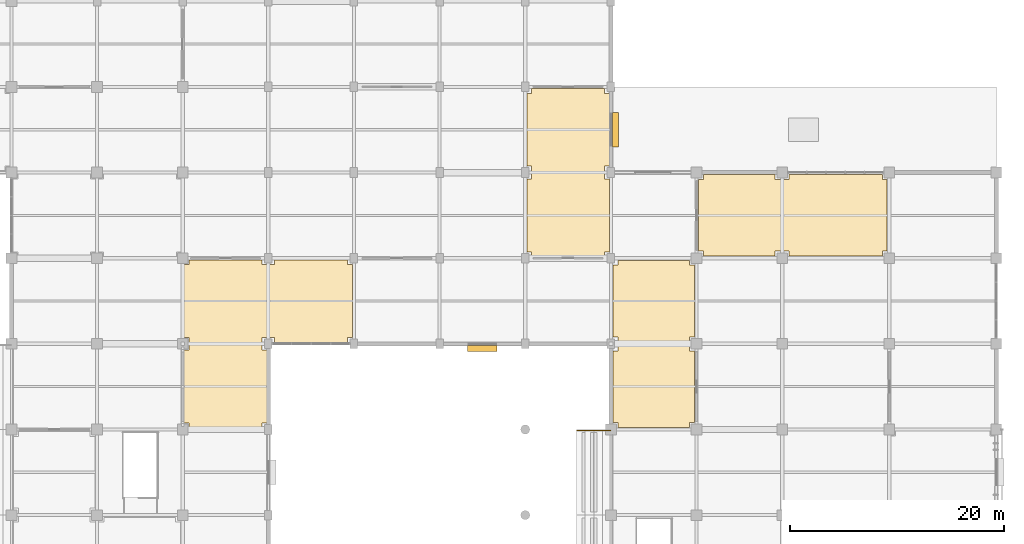
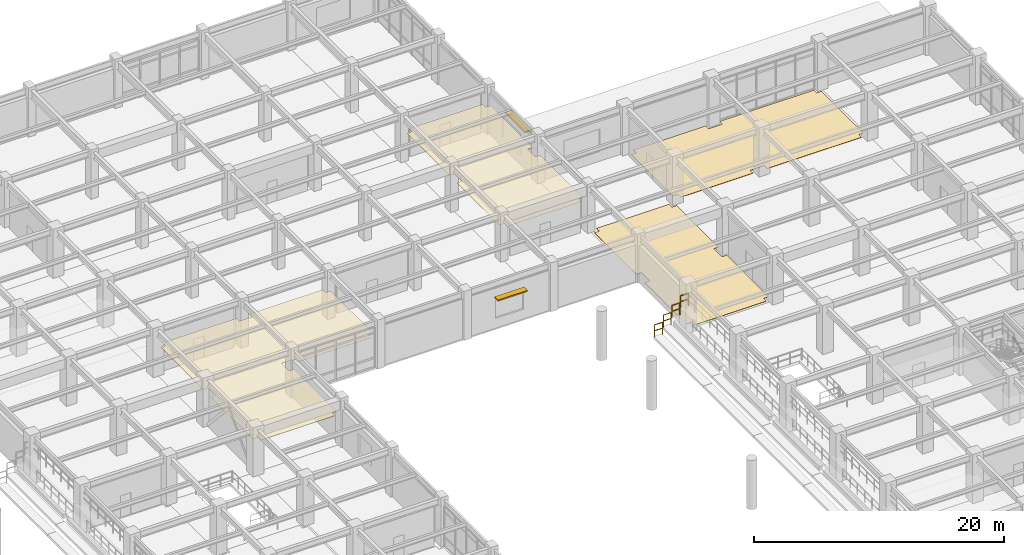
# One storey, part 117 of 117: 4 coverings, 4 railings, 2 shading devices.
"""IFC4 building model written with IfcOpenShell, lengths in metres."""

from ifc_helpers import new_model, si_unit, direction, frame, origin, origin_2d, place, context, subcontext, project, spatial, polyline, rectangle, circle, outline, extrude, material, layer, layer_set, type_object, element, save


model = new_model("IFC4")

# Units and contexts
model_context = context("Model", 3, precision=1e-05, world=origin(), true_north=direction((0.0, 1.0)))
body_context = subcontext(model_context, "Body", "Model", "MODEL_VIEW")
ifc_project = project(units=[si_unit("LENGTHUNIT", "METRE"), si_unit("AREAUNIT", "SQUARE_METRE"), si_unit("VOLUMEUNIT", "CUBIC_METRE"), si_unit("PLANEANGLEUNIT", "RADIAN"), si_unit("MASSUNIT", "GRAM", prefix="KILO")], contexts=[model_context])

# Site, building, storey
site_placement = place(None, origin())
site = spatial("IfcSite", under=ifc_project, at=site_placement, CompositionType="ELEMENT")
building_placement = place(site_placement, origin())
building = spatial("IfcBuilding", under=site, at=building_placement, Name="Haebicheon Civic Stadium", CompositionType="ELEMENT")
storey_placement = place(building_placement, frame((0.0, 0.0, 4.800048828125)))
storey = spatial("IfcBuildingStorey", under=building, at=storey_placement, Name="L02", CompositionType="ELEMENT", Elevation=4.800048828125)

# Coverings
ifc_material_1 = material(Name="Perforated mineral-fibre acoustic board", Category="gypsum")
ifc_layer_1 = layer(ifc_material_1, 0.0400390625, Name="Perforated mineral-fibre acoustic board")
ifc_layer_set_1 = layer_set([ifc_layer_1], Name="Perforated mineral-fibre acoustic board")
covering_type_1 = type_object("IfcCoveringType", Name="COV-CLG-AC", PredefinedType="CEILING", material=ifc_layer_set_1)
covering_1_placement = place(storey_placement, frame((0.0, 0.0, 2.81005859375)))
element("IfcCovering", 1, at=covering_1_placement, inside=storey, type_object=covering_type_1, material=ifc_layer_set_1, Name="L02 Sports Heritage Reading Room acoustic ceiling", PredefinedType="CEILING", context=body_context, shape_type="SweptSolid", body=[
    extrude(outline(polyline([(160.594970703125, 128.14501953125), (160.594970703125, 128.594970703125), (160.14501953125, 128.594970703125), (160.14501953125, 135.405029296875), (160.594970703125, 135.405029296875), (160.594970703125, 136.594970703125), (160.14501953125, 136.594970703125), (160.14501953125, 143.405029296875), (160.594970703125, 143.405029296875), (160.594970703125, 143.85498046875), (167.405029296875, 143.85498046875), (167.405029296875, 143.405029296875), (168.594970703125, 143.405029296875), (168.594970703125, 143.85498046875), (175.405029296875, 143.85498046875), (175.405029296875, 143.405029296875), (175.85498046875, 143.405029296875), (175.85498046875, 136.594970703125), (175.405029296875, 136.594970703125), (175.405029296875, 136.14501953125), (168.594970703125, 136.14501953125), (168.594970703125, 136.594970703125), (167.405029296875, 136.594970703125), (167.405029296875, 135.405029296875), (167.85498046875, 135.405029296875), (167.85498046875, 128.594970703125), (167.405029296875, 128.594970703125), (167.405029296875, 128.14501953125), (160.594970703125, 128.14501953125)])), origin(), (0.0, 0.0, 1.0), 0.039794921875),
])
covering_2_placement = place(storey_placement, frame((0.0, 0.0, 2.81005859375)))
element("IfcCovering", 2, at=covering_2_placement, inside=storey, type_object=covering_type_1, material=ifc_layer_set_1, Name="L02 Main Spectator Concourse acoustic ceiling", PredefinedType="CEILING", context=body_context, shape_type="SweptSolid", body=[
    extrude(outline(polyline([(192.594970703125, 144.14501953125), (192.594970703125, 144.594970703125), (192.14501953125, 144.594970703125), (192.14501953125, 151.405029296875), (192.594970703125, 151.405029296875), (192.594970703125, 152.594970703125), (192.14501953125, 152.594970703125), (192.14501953125, 159.405029296875), (192.594970703125, 159.405029296875), (192.594970703125, 159.85498046875), (199.405029296875, 159.85498046875), (199.405029296875, 159.405029296875), (199.85498046875, 159.405029296875), (199.85498046875, 152.594970703125), (199.405029296875, 152.594970703125), (199.405029296875, 151.405029296875), (199.85498046875, 151.405029296875), (199.85498046875, 144.594970703125), (199.405029296875, 144.594970703125), (199.405029296875, 144.14501953125), (192.594970703125, 144.14501953125)])), origin(), (0.0, 0.0, 1.0), 0.039794921875),
])
ifc_material_2 = material(Name="Quartz epoxy resin mortar", Category="concrete")
ifc_layer_2 = layer(ifc_material_2, 0.030029296875, Name="Quartz epoxy resin mortar")
ifc_layer_set_2 = layer_set([ifc_layer_2], Name="Quartz epoxy resin mortar")
covering_type_2 = type_object("IfcCoveringType", Name="COV-FLR-EPX", PredefinedType="FLOORING", material=ifc_layer_set_2)
covering_3_placement = place(storey_placement, origin())
element("IfcCovering", 3, at=covering_3_placement, inside=storey, type_object=covering_type_2, material=ifc_layer_set_2, Name="L02 Aerobic Conditioning Studio non-slip floor finish", PredefinedType="FLOORING", context=body_context, shape_type="SweptSolid", body=[
    extrude(outline(polyline([(200.64990234375, 128.199951171875), (200.64990234375, 128.64990234375), (200.199951171875, 128.64990234375), (200.199951171875, 135.35009765625), (200.64990234375, 135.35009765625), (200.64990234375, 136.64990234375), (200.199951171875, 136.64990234375), (200.199951171875, 143.35009765625), (200.64990234375, 143.35009765625), (200.64990234375, 143.800048828125), (207.35009765625, 143.800048828125), (207.35009765625, 143.35009765625), (207.800048828125, 143.35009765625), (207.800048828125, 136.64990234375), (207.35009765625, 136.64990234375), (207.35009765625, 135.35009765625), (207.800048828125, 135.35009765625), (207.800048828125, 128.64990234375), (207.35009765625, 128.64990234375), (207.35009765625, 128.199951171875), (200.64990234375, 128.199951171875)])), origin(), (0.0, 0.0, 1.0), 0.030029296875),
])
covering_4_placement = place(storey_placement, origin())
element("IfcCovering", 4, at=covering_4_placement, inside=storey, type_object=covering_type_2, material=ifc_layer_set_2, Name="L02 Sports Rehabilitation Gym non-slip floor finish", PredefinedType="FLOORING", context=body_context, shape_type="SweptSolid", body=[
    extrude(outline(polyline([(208.199951171875, 151.35009765625), (208.64990234375, 151.35009765625), (208.64990234375, 151.800048828125), (215.35009765625, 151.800048828125), (215.35009765625, 151.35009765625), (216.64990234375, 151.35009765625), (216.64990234375, 151.800048828125), (225.35009765625, 151.800048828125), (225.35009765625, 151.35009765625), (225.800048828125, 151.35009765625), (225.800048828125, 144.64990234375), (225.35009765625, 144.64990234375), (225.35009765625, 144.199951171875), (216.64990234375, 144.199951171875), (216.64990234375, 144.64990234375), (215.35009765625, 144.64990234375), (215.35009765625, 144.199951171875), (208.64990234375, 144.199951171875), (208.64990234375, 144.64990234375), (208.199951171875, 144.64990234375), (208.199951171875, 151.35009765625)])), origin(), (0.0, 0.0, 1.0), 0.030029296875),
])

# Railings
ifc_material_3 = material(Name="Stainless steel 316 and laminated glass", Category="steel")
railing_type = type_object("IfcRailingType", Name="RL-BAL-1200", PredefinedType="BALUSTRADE", material=ifc_material_3)
railing_1_placement = place(storey_placement, frame((196.840087890625, 127.89990234375, 0.39990234375)))
element("IfcRailing", 5, at=railing_1_placement, inside=storey, type_object=railing_type, material=ifc_material_3, Name="TIER-C-L end-aisle side guard N.7", PredefinedType="BALUSTRADE", context=body_context, shape_type="SweptSolid", body=[
    extrude(circle(Radius=0.02392578125, at=origin_2d()), frame((0.0, 0.0, 1.17578125), z_axis=(1.0, 0.0, 0.0), x_axis=(0.0, 1.0, 0.0)), (0.0, 0.0, 1.0), 0.719970703125),
    extrude(circle(Radius=0.02392578125, at=origin_2d()), frame((0.0, 0.0, 0.60009765625), z_axis=(1.0, 0.0, 0.0), x_axis=(0.0, 1.0, 0.0)), (0.0, 0.0, 1.0), 0.719970703125),
    extrude(circle(Radius=0.02099609375, at=origin_2d()), origin(), (0.0, 0.0, 1.0), 1.15185546875),
    extrude(circle(Radius=0.02099609375, at=origin_2d()), frame((0.719970703125, 0.0, 0.0)), (0.0, 0.0, 1.0), 1.15185546875),
])
railing_2_placement = place(storey_placement, frame((197.639892578125, 127.89990234375, 1.06689453125)))
element("IfcRailing", 6, at=railing_2_placement, inside=storey, type_object=railing_type, material=ifc_material_3, Name="TIER-C-L end-aisle side guard N.8", PredefinedType="BALUSTRADE", context=body_context, shape_type="SweptSolid", body=[
    extrude(circle(Radius=0.02392578125, at=origin_2d()), frame((0.0, 0.0, 1.17578125), z_axis=(1.0, 0.0, 0.0), x_axis=(0.0, 1.0, 0.0)), (0.0, 0.0, 1.0), 0.72021484375),
    extrude(circle(Radius=0.02392578125, at=origin_2d()), frame((0.0, 0.0, 0.60009765625), z_axis=(1.0, 0.0, 0.0), x_axis=(0.0, 1.0, 0.0)), (0.0, 0.0, 1.0), 0.72021484375),
    extrude(circle(Radius=0.02099609375, at=origin_2d()), origin(), (0.0, 0.0, 1.0), 1.15185546875),
    extrude(circle(Radius=0.02099609375, at=origin_2d()), frame((0.72021484375, 0.0, 0.0)), (0.0, 0.0, 1.0), 1.15185546875),
])
for number, where, name in (
    (7, (198.43994140625, 127.89990234375, 1.73291015625), "TIER-C-L end-aisle side guard N.9"),
    (8, (199.239990234375, 127.89990234375, 2.39990234375), "TIER-C-L end-aisle side guard N.10"),
):
    element("IfcRailing", number, at=place(storey_placement, frame(where)), inside=storey, type_object=railing_type, material=ifc_material_3, Name=name, PredefinedType="BALUSTRADE", context=body_context, shape_type="SweptSolid", body=[
        extrude(circle(Radius=0.02392578125, at=origin_2d()), frame((0.0, 0.0, 1.17578125), z_axis=(1.0, 0.0, 0.0), x_axis=(0.0, 1.0, 0.0)), (0.0, 0.0, 1.0), 0.719970703125),
        extrude(circle(Radius=0.02392578125, at=origin_2d()), frame((0.0, 0.0, 0.60009765625), z_axis=(1.0, 0.0, 0.0), x_axis=(0.0, 1.0, 0.0)), (0.0, 0.0, 1.0), 0.719970703125),
        extrude(circle(Radius=0.02099609375, at=origin_2d()), origin(), (0.0, 0.0, 1.0), 1.15185546875),
        extrude(circle(Radius=0.02099609375, at=origin_2d()), frame((0.719970703125, 0.0, 0.0)), (0.0, 0.0, 1.0), 1.15185546875),
    ])

# Shading devices
ifc_material_4 = material(Name="Anodised aluminium 6063-T6", Category="aluminium")
ifc_layer_3 = layer(ifc_material_4, 0.1201171875, Name="Anodised aluminium 6063-T6")
ifc_layer_set_3 = layer_set([ifc_layer_3], Name="Anodised aluminium 6063-T6")
shading_device_type = type_object("IfcShadingDeviceType", Name="SHD-ALU-LVR", PredefinedType="USERDEFINED", material=ifc_layer_set_3)
shading_device_1_placement = place(storey_placement, frame((188.0, 135.554931640625, 2.969970703125), z_axis=(0.0, 0.0, 1.0), x_axis=(1.0, 0.0, 0.0)))
element("IfcShadingDevice", 9, at=shading_device_1_placement, inside=storey, type_object=shading_device_type, material=ifc_layer_set_3, Name="L02 window sunshade louvre hood 22", ObjectType="LOUVRE", PredefinedType="USERDEFINED", context=body_context, shape_type="SweptSolid", body=[
    extrude(rectangle(XDim=2.75, YDim=0.550048828125, at=origin_2d()), origin(), (0.0, 0.0, 1.0), 0.1201171875),
])
shading_device_2_placement = place(storey_placement, frame((200.445068359375, 156.0, 3.06982421875), z_axis=(0.0, 0.0, 1.0), x_axis=(1.0, 0.0, 0.0)))
element("IfcShadingDevice", 10, at=shading_device_2_placement, inside=storey, type_object=shading_device_type, material=ifc_layer_set_3, Name="L02 window sunshade louvre hood 24", ObjectType="LOUVRE", PredefinedType="USERDEFINED", context=body_context, shape_type="SweptSolid", body=[
    extrude(rectangle(XDim=0.550048828125, YDim=3.199951171875, at=origin_2d()), origin(), (0.0, 0.0, 1.0), 0.1201171875),
])

save(model, "model.ifc")
